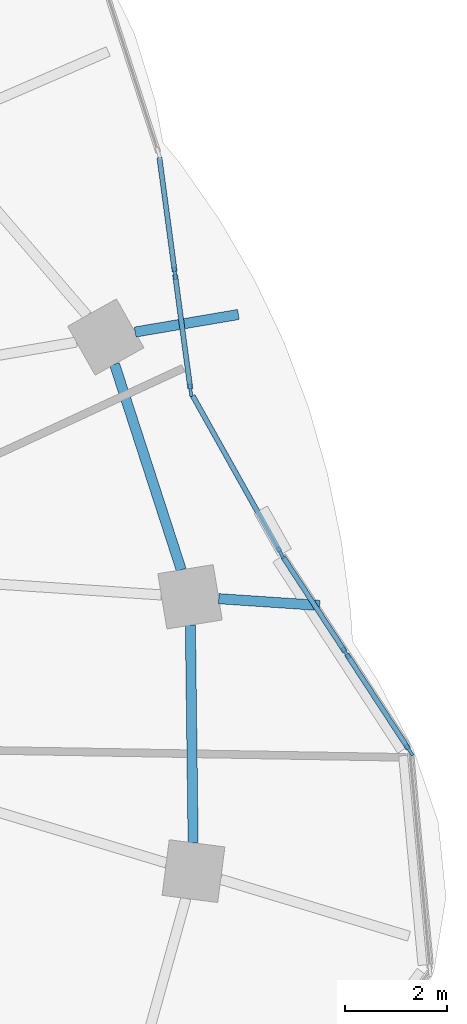
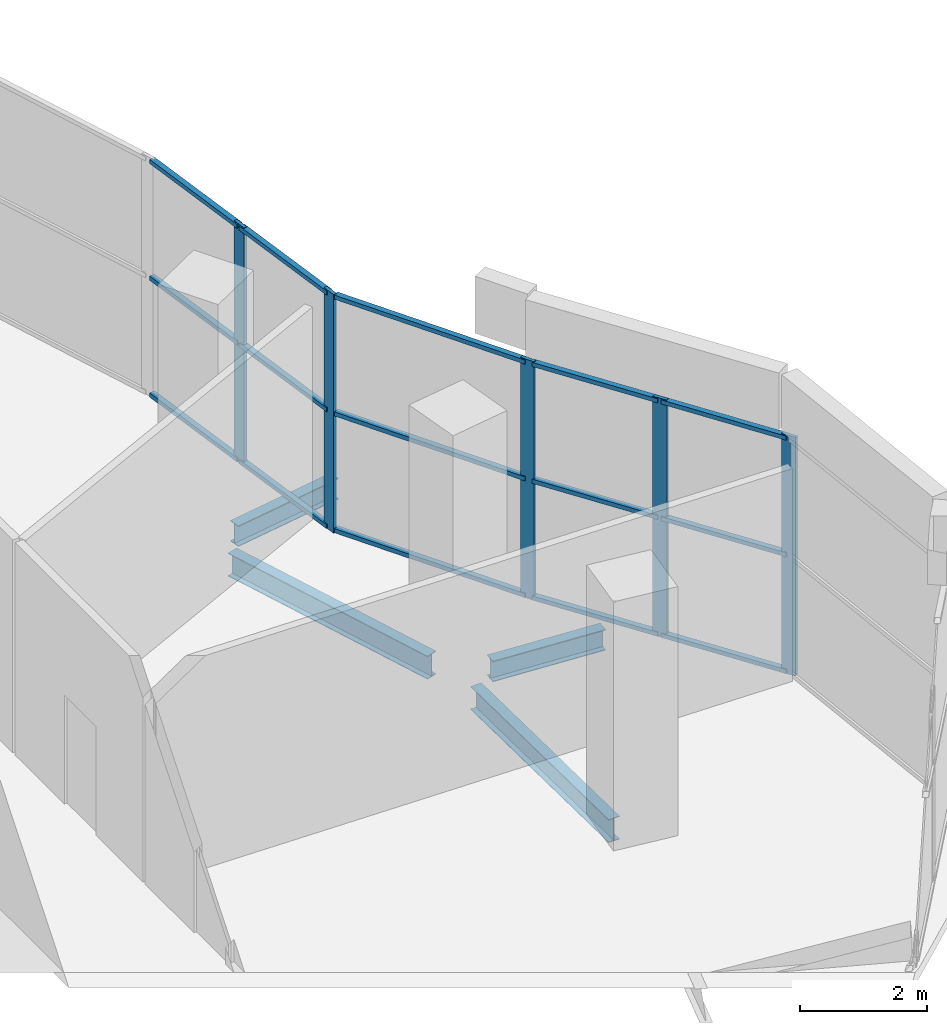
# One storey, part 6 of 16: 20 members, 4 beams, 3 elements without a shape of their own.
"""IFC4 building model written with IfcOpenShell, lengths in metres."""

from ifc_helpers import new_model, si_unit, direction, frame, origin, origin_2d, place, context, subcontext, project, spatial, rectangle, i_section, extrude, material, material_profile, profile_set, type_object, element, aggregate, save


model = new_model("IFC4")

# Units and contexts
model_context = context("Model", 3, precision=1e-05, world=origin(), true_north=direction((0.0, 1.0)))
body_context = subcontext(model_context, "Body", "Model", "MODEL_VIEW")
ifc_project = project(units=[si_unit("LENGTHUNIT", "METRE"), si_unit("AREAUNIT", "SQUARE_METRE"), si_unit("VOLUMEUNIT", "CUBIC_METRE"), si_unit("PLANEANGLEUNIT", "RADIAN"), si_unit("MASSUNIT", "GRAM", prefix="KILO")], contexts=[model_context])

# Site, building, storey
site_placement = place(None, origin())
site = spatial("IfcSite", under=ifc_project, at=site_placement, CompositionType="ELEMENT")
building_placement = place(site_placement, origin())
building = spatial("IfcBuilding", under=site, at=building_placement, Name="Rubra Terraces Tower", CompositionType="ELEMENT")
storey_placement = place(building_placement, frame((0.0, 0.0, 125.699951171875)))
storey = spatial("IfcBuildingStorey", under=building, at=storey_placement, Name="L30", CompositionType="ELEMENT", Elevation=125.699951171875)

# Beams
ifc_material_1 = material(Name="Steel Q355B", Category="steel")
ifc_material_profile_1 = material_profile(ifc_material_1, i_section(OverallWidth=0.199951171875, OverallDepth=0.39990234375, WebThickness=0.008056640625, FlangeThickness=0.012939453125, at=origin_2d()), Name="HN 400x200x8x13")
ifc_profile_set_1 = profile_set([ifc_material_profile_1], Name="Steel Q355B")
beam_type_1 = type_object("IfcBeamType", Name="CANTILEVER BEAM HN 400x200x8x13", PredefinedType="BEAM", material=ifc_profile_set_1)
beam_1_placement = place(storey_placement, frame((23.298095703125, 2.9560546875, -0.39990234375), z_axis=(0.997782435094, -0.066559839382, 0.0), x_axis=(0.066559839382, 0.997782435094, 0.0)))
element("IfcBeam", 1, at=beam_1_placement, inside=storey, type_object=beam_type_1, Name="beam-L30-cant-01", PredefinedType="BEAM", context=body_context, shape_type="SweptSolid", body=[
    extrude(i_section(OverallWidth=0.199951171875, OverallDepth=0.39990234375, WebThickness=0.008056640625, FlangeThickness=0.012939453125, at=origin_2d()), origin(), (0.0, 0.0, 1.0), 1.984375),
])
beam_2_placement = place(storey_placement, frame((21.656982421875, 8.18798828125, -0.39990234375), z_axis=(0.985813225159, 0.167846016044, 0.0), x_axis=(-0.167846016044, 0.985813225159, 0.0)))
element("IfcBeam", 2, at=beam_2_placement, inside=storey, type_object=beam_type_1, Name="beam-L30-cant-02", PredefinedType="BEAM", context=body_context, shape_type="SweptSolid", body=[
    extrude(i_section(OverallWidth=0.199951171875, OverallDepth=0.39990234375, WebThickness=0.008056640625, FlangeThickness=0.012939453125, at=origin_2d()), origin(), (0.0, 0.0, 1.0), 2.05517578125),
])
ifc_material_profile_2 = material_profile(ifc_material_1, i_section(OverallWidth=0.198974609375, OverallDepth=0.446044921875, WebThickness=0.008056640625, FlangeThickness=0.011962890625, at=origin_2d()), Name="HN 446x199x8x12")
ifc_profile_set_2 = profile_set([ifc_material_profile_2], Name="Steel Q355B")
beam_type_2 = type_object("IfcBeamType", Name="SPANDREL BEAM HN 446x199x8x12", PredefinedType="SPANDREL", material=ifc_profile_set_2)
beam_3_placement = place(storey_placement, frame((22.56201171875, 3.52197265625, -0.4228515625), z_axis=(-0.308462461648, 0.951236516201, 0.0), x_axis=(-0.951236516201, -0.308462461648, 0.0)))
element("IfcBeam", 3, at=beam_3_placement, inside=storey, type_object=beam_type_2, Name="beam-L30-spandrel-01", PredefinedType="SPANDREL", context=body_context, shape_type="SweptSolid", body=[
    extrude(i_section(OverallWidth=0.198974609375, OverallDepth=0.446044921875, WebThickness=0.008056640625, FlangeThickness=0.011962890625, at=origin_2d()), origin(), (0.0, 0.0, 1.0), 4.24072265625),
])
beam_4_placement = place(storey_placement, frame((22.794921875, -1.8330078125, -0.4228515625), z_axis=(-0.012634783266, 0.99992017794, 0.0), x_axis=(-0.99992017794, -0.012634783266, 0.0)))
element("IfcBeam", 4, at=beam_4_placement, inside=storey, type_object=beam_type_2, Name="beam-L30-spandrel-24", PredefinedType="SPANDREL", context=body_context, shape_type="SweptSolid", body=[
    extrude(i_section(OverallWidth=0.198974609375, OverallDepth=0.446044921875, WebThickness=0.008056640625, FlangeThickness=0.011962890625, at=origin_2d()), origin(), (0.0, 0.0, 1.0), 4.270263671875),
])

# Curtain wall, members
ifc_material_2 = material(Name="Aluminium and glass", Category="aluminium")
curtain_wall_type = type_object("IfcCurtainWallType", Name="Curtain wall Sky lobby glazing", PredefinedType="NOTDEFINED", material=ifc_material_2)
curtain_wall_1_placement = place(storey_placement, origin())
curtain_wall_1 = element("IfcCurtainWall", 5, at=curtain_wall_1_placement, inside=storey, type_object=curtain_wall_type, Name="L30 glazing bay 1", PredefinedType="NOTDEFINED")
ifc_material_3 = material(Name="Aluminium, anodised dark grey", Category="aluminium")
ifc_material_profile_3 = material_profile(ifc_material_3, rectangle(XDim=0.06005859375, YDim=0.25, at=origin_2d()), Name="AL 60x250")
ifc_profile_set_3 = profile_set([ifc_material_profile_3], Name="Aluminium, anodised dark grey")
member_type_1 = type_object("IfcMemberType", Name="Sky lobby glazing mullion 60 x 250", PredefinedType="MULLION", material=ifc_profile_set_3)
member_1_placement = place(storey_placement, frame((27.037109375, -0.0146484375, 0.0), z_axis=(0.0, 0.0, 1.0), x_axis=(-0.837101646556, -0.547047377595, 0.0)))
member_1 = element("IfcMember", 6, at=member_1_placement, type_object=member_type_1, Name="CW2 mullion 1", PredefinedType="MULLION", context=body_context, shape_type="SweptSolid", body=[
    extrude(rectangle(XDim=0.06005859375, YDim=0.25, at=origin_2d()), origin(), (0.0, 0.0, 1.0), 4.60009765625),
])
member_2_placement = place(storey_placement, frame((25.791015625, 1.89208984375, 0.0), z_axis=(0.0, 0.0, 1.0), x_axis=(-0.837101646556, -0.547047377595, 0.0)))
member_2 = element("IfcMember", 7, at=member_2_placement, type_object=member_type_1, Name="CW2 mullion 2", PredefinedType="MULLION", context=body_context, shape_type="SweptSolid", body=[
    extrude(rectangle(XDim=0.06005859375, YDim=0.25, at=origin_2d()), origin(), (0.0, 0.0, 1.0), 4.60009765625),
])

# Curtain wall, member
curtain_wall_2_placement = place(storey_placement, origin())
curtain_wall_2 = element("IfcCurtainWall", 8, at=curtain_wall_2_placement, inside=storey, type_object=curtain_wall_type, Name="L30 glazing bay 2", PredefinedType="NOTDEFINED")
member_3_placement = place(storey_placement, frame((24.510986328125, 3.85498046875, 0.0), z_axis=(0.0, 0.0, 1.0), x_axis=(-0.87266883369, -0.488312509266, 0.0)))
member_3 = element("IfcMember", 9, at=member_3_placement, type_object=member_type_1, Name="CW2 mullion 1", PredefinedType="MULLION", context=body_context, shape_type="SweptSolid", body=[
    extrude(rectangle(XDim=0.06005859375, YDim=0.25, at=origin_2d()), origin(), (0.0, 0.0, 1.0), 4.60009765625),
])

# Curtain wall, members
curtain_wall_3_placement = place(storey_placement, origin())
curtain_wall_3 = element("IfcCurtainWall", 10, at=curtain_wall_3_placement, inside=storey, type_object=curtain_wall_type, Name="L30 glazing bay 3", PredefinedType="NOTDEFINED")
member_4_placement = place(storey_placement, frame((22.74462890625, 7.044921875, 0.0), z_axis=(0.0, 0.0, 1.0), x_axis=(-0.991168508608, -0.132608399218, 0.0)))
member_4 = element("IfcMember", 11, at=member_4_placement, type_object=member_type_1, Name="CW2 mullion 1", PredefinedType="MULLION", context=body_context, shape_type="SweptSolid", body=[
    extrude(rectangle(XDim=0.06005859375, YDim=0.25, at=origin_2d()), origin(), (0.0, 0.0, 1.0), 4.60009765625),
])
member_5_placement = place(storey_placement, frame((22.43701171875, 9.34375, 0.0), z_axis=(0.0, 0.0, 1.0), x_axis=(-0.991168508608, -0.132608399218, 0.0)))
member_5 = element("IfcMember", 12, at=member_5_placement, type_object=member_type_1, Name="CW2 mullion 2", PredefinedType="MULLION", context=body_context, shape_type="SweptSolid", body=[
    extrude(rectangle(XDim=0.06005859375, YDim=0.25, at=origin_2d()), origin(), (0.0, 0.0, 1.0), 4.60009765625),
])

# Member
ifc_material_profile_4 = material_profile(ifc_material_3, rectangle(XDim=0.10009765625, YDim=0.080078125, at=origin_2d()), Name="AL 100x80")
ifc_profile_set_4 = profile_set([ifc_material_profile_4], Name="Aluminium, anodised dark grey")
member_type_2 = type_object("IfcMemberType", Name="Sky lobby glazing transom 100 x 80", PredefinedType="USERDEFINED", material=ifc_profile_set_4)
member_6_placement = place(storey_placement, frame((27.0205078125, 0.010498046875, 0.050048828125), z_axis=(-0.546979442889, 0.83714603807, 0.0), x_axis=(-0.83714603807, -0.546979442889, 0.0)))
member_6 = element("IfcMember", 13, at=member_6_placement, type_object=member_type_2, Name="CW2 transom 1.1", ObjectType="TRANSOM", PredefinedType="USERDEFINED", context=body_context, shape_type="SweptSolid", body=[
    extrude(rectangle(XDim=0.10009765625, YDim=0.080078125, at=origin_2d()), origin(), (0.0, 0.0, 1.0), 2.2177734375),
])

member_7_placement = place(storey_placement, frame((27.0205078125, 0.010498046875, 2.300048828125), z_axis=(-0.546979442889, 0.83714603807, 0.0), x_axis=(-0.83714603807, -0.546979442889, 0.0)))
member_7 = element("IfcMember", 14, at=member_7_placement, type_object=member_type_2, Name="CW2 transom 1.2", ObjectType="TRANSOM", PredefinedType="USERDEFINED", context=body_context, shape_type="SweptSolid", body=[
    extrude(rectangle(XDim=0.10009765625, YDim=0.080078125, at=origin_2d()), origin(), (0.0, 0.0, 1.0), 2.2177734375),
])

member_8_placement = place(storey_placement, frame((27.0205078125, 0.010498046875, 4.550048828125), z_axis=(-0.546979442889, 0.83714603807, 0.0), x_axis=(-0.83714603807, -0.546979442889, 0.0)))
member_8 = element("IfcMember", 15, at=member_8_placement, type_object=member_type_2, Name="CW2 transom 1.3", ObjectType="TRANSOM", PredefinedType="USERDEFINED", context=body_context, shape_type="SweptSolid", body=[
    extrude(rectangle(XDim=0.10009765625, YDim=0.080078125, at=origin_2d()), origin(), (0.0, 0.0, 1.0), 2.2177734375),
])

member_9_placement = place(storey_placement, frame((25.7744140625, 1.917236328125, 0.050048828125), z_axis=(-0.546979442889, 0.83714603807, 0.0), x_axis=(-0.83714603807, -0.546979442889, 0.0)))
member_9 = element("IfcMember", 16, at=member_9_placement, type_object=member_type_2, Name="CW2 transom 2.1", ObjectType="TRANSOM", PredefinedType="USERDEFINED", context=body_context, shape_type="SweptSolid", body=[
    extrude(rectangle(XDim=0.10009765625, YDim=0.080078125, at=origin_2d()), origin(), (0.0, 0.0, 1.0), 2.2177734375),
])

member_10_placement = place(storey_placement, frame((25.7744140625, 1.917236328125, 2.300048828125), z_axis=(-0.546979442889, 0.83714603807, 0.0), x_axis=(-0.83714603807, -0.546979442889, 0.0)))
member_10 = element("IfcMember", 17, at=member_10_placement, type_object=member_type_2, Name="CW2 transom 2.2", ObjectType="TRANSOM", PredefinedType="USERDEFINED", context=body_context, shape_type="SweptSolid", body=[
    extrude(rectangle(XDim=0.10009765625, YDim=0.080078125, at=origin_2d()), origin(), (0.0, 0.0, 1.0), 2.2177734375),
])

member_11_placement = place(storey_placement, frame((25.7744140625, 1.917236328125, 4.550048828125), z_axis=(-0.546979442889, 0.83714603807, 0.0), x_axis=(-0.83714603807, -0.546979442889, 0.0)))
member_11 = element("IfcMember", 18, at=member_11_placement, type_object=member_type_2, Name="CW2 transom 2.3", ObjectType="TRANSOM", PredefinedType="USERDEFINED", context=body_context, shape_type="SweptSolid", body=[
    extrude(rectangle(XDim=0.10009765625, YDim=0.080078125, at=origin_2d()), origin(), (0.0, 0.0, 1.0), 2.2177734375),
])

aggregate(curtain_wall_1, [member_1, member_2, member_6, member_7, member_8, member_9, member_10, member_11])

member_12_placement = place(storey_placement, frame((24.496337890625, 3.88134765625, 0.050048828125), z_axis=(-0.488327425767, 0.872660486812, 0.0), x_axis=(-0.872660486812, -0.488327425767, 0.0)))
member_12 = element("IfcMember", 19, at=member_12_placement, type_object=member_type_2, Name="CW2 transom 1.1", ObjectType="TRANSOM", PredefinedType="USERDEFINED", context=body_context, shape_type="SweptSolid", body=[
    extrude(rectangle(XDim=0.10009765625, YDim=0.080078125, at=origin_2d()), origin(), (0.0, 0.0, 1.0), 3.502685546875),
])

member_13_placement = place(storey_placement, frame((24.496337890625, 3.88134765625, 2.300048828125), z_axis=(-0.488327425767, 0.872660486812, 0.0), x_axis=(-0.872660486812, -0.488327425767, 0.0)))
member_13 = element("IfcMember", 20, at=member_13_placement, type_object=member_type_2, Name="CW2 transom 1.2", ObjectType="TRANSOM", PredefinedType="USERDEFINED", context=body_context, shape_type="SweptSolid", body=[
    extrude(rectangle(XDim=0.10009765625, YDim=0.080078125, at=origin_2d()), origin(), (0.0, 0.0, 1.0), 3.502685546875),
])

member_14_placement = place(storey_placement, frame((24.496337890625, 3.88134765625, 4.550048828125), z_axis=(-0.488327425767, 0.872660486812, 0.0), x_axis=(-0.872660486812, -0.488327425767, 0.0)))
member_14 = element("IfcMember", 21, at=member_14_placement, type_object=member_type_2, Name="CW2 transom 1.3", ObjectType="TRANSOM", PredefinedType="USERDEFINED", context=body_context, shape_type="SweptSolid", body=[
    extrude(rectangle(XDim=0.10009765625, YDim=0.080078125, at=origin_2d()), origin(), (0.0, 0.0, 1.0), 3.502685546875),
])

aggregate(curtain_wall_2, [member_3, member_12, member_13, member_14])

member_15_placement = place(storey_placement, frame((22.74072265625, 7.07470703125, 0.050048828125), z_axis=(-0.132687445524, 0.991157929797, 0.0), x_axis=(-0.991157929797, -0.132687445524, 0.0)))
member_15 = element("IfcMember", 22, at=member_15_placement, type_object=member_type_2, Name="CW2 transom 1.1", ObjectType="TRANSOM", PredefinedType="USERDEFINED", context=body_context, shape_type="SweptSolid", body=[
    extrude(rectangle(XDim=0.10009765625, YDim=0.080078125, at=origin_2d()), origin(), (0.0, 0.0, 1.0), 2.259521484375),
])

member_16_placement = place(storey_placement, frame((22.74072265625, 7.07470703125, 2.300048828125), z_axis=(-0.132687445524, 0.991157929797, 0.0), x_axis=(-0.991157929797, -0.132687445524, 0.0)))
member_16 = element("IfcMember", 23, at=member_16_placement, type_object=member_type_2, Name="CW2 transom 1.2", ObjectType="TRANSOM", PredefinedType="USERDEFINED", context=body_context, shape_type="SweptSolid", body=[
    extrude(rectangle(XDim=0.10009765625, YDim=0.080078125, at=origin_2d()), origin(), (0.0, 0.0, 1.0), 2.259521484375),
])

member_17_placement = place(storey_placement, frame((22.74072265625, 7.07470703125, 4.550048828125), z_axis=(-0.132687445524, 0.991157929797, 0.0), x_axis=(-0.991157929797, -0.132687445524, 0.0)))
member_17 = element("IfcMember", 24, at=member_17_placement, type_object=member_type_2, Name="CW2 transom 1.3", ObjectType="TRANSOM", PredefinedType="USERDEFINED", context=body_context, shape_type="SweptSolid", body=[
    extrude(rectangle(XDim=0.10009765625, YDim=0.080078125, at=origin_2d()), origin(), (0.0, 0.0, 1.0), 2.259521484375),
])

member_18_placement = place(storey_placement, frame((22.43310546875, 9.37353515625, 0.050048828125), z_axis=(-0.132581293929, 0.991172134647, 0.0), x_axis=(-0.991172134647, -0.132581293929, 0.0)))
member_18 = element("IfcMember", 25, at=member_18_placement, type_object=member_type_2, Name="CW2 transom 2.1", ObjectType="TRANSOM", PredefinedType="USERDEFINED", context=body_context, shape_type="SweptSolid", body=[
    extrude(rectangle(XDim=0.10009765625, YDim=0.080078125, at=origin_2d()), origin(), (0.0, 0.0, 1.0), 2.259521484375),
])

member_19_placement = place(storey_placement, frame((22.43310546875, 9.37353515625, 2.300048828125), z_axis=(-0.132581293929, 0.991172134647, 0.0), x_axis=(-0.991172134647, -0.132581293929, 0.0)))
member_19 = element("IfcMember", 26, at=member_19_placement, type_object=member_type_2, Name="CW2 transom 2.2", ObjectType="TRANSOM", PredefinedType="USERDEFINED", context=body_context, shape_type="SweptSolid", body=[
    extrude(rectangle(XDim=0.10009765625, YDim=0.080078125, at=origin_2d()), origin(), (0.0, 0.0, 1.0), 2.259521484375),
])

member_20_placement = place(storey_placement, frame((22.43310546875, 9.37353515625, 4.550048828125), z_axis=(-0.132581293929, 0.991172134647, 0.0), x_axis=(-0.991172134647, -0.132581293929, 0.0)))
member_20 = element("IfcMember", 27, at=member_20_placement, type_object=member_type_2, Name="CW2 transom 2.3", ObjectType="TRANSOM", PredefinedType="USERDEFINED", context=body_context, shape_type="SweptSolid", body=[
    extrude(rectangle(XDim=0.10009765625, YDim=0.080078125, at=origin_2d()), origin(), (0.0, 0.0, 1.0), 2.259521484375),
])

aggregate(curtain_wall_3, [member_4, member_5, member_15, member_16, member_17, member_18, member_19, member_20])

save(model, "model.ifc")
